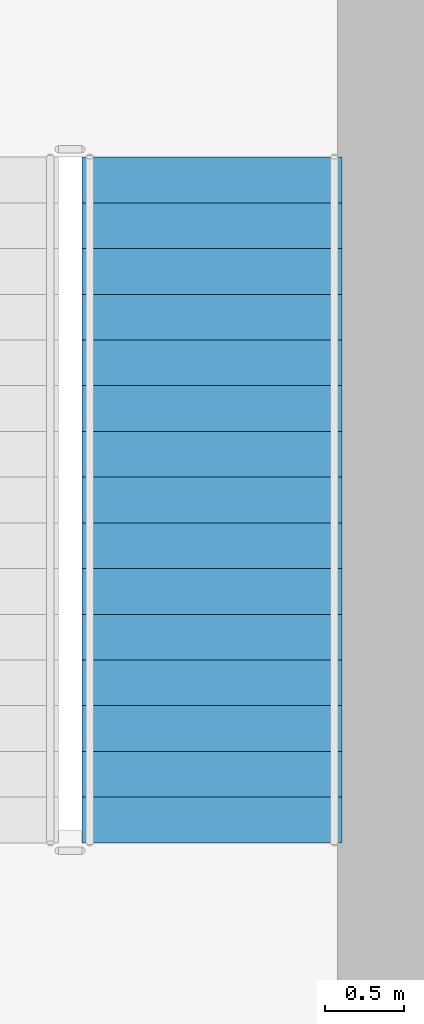
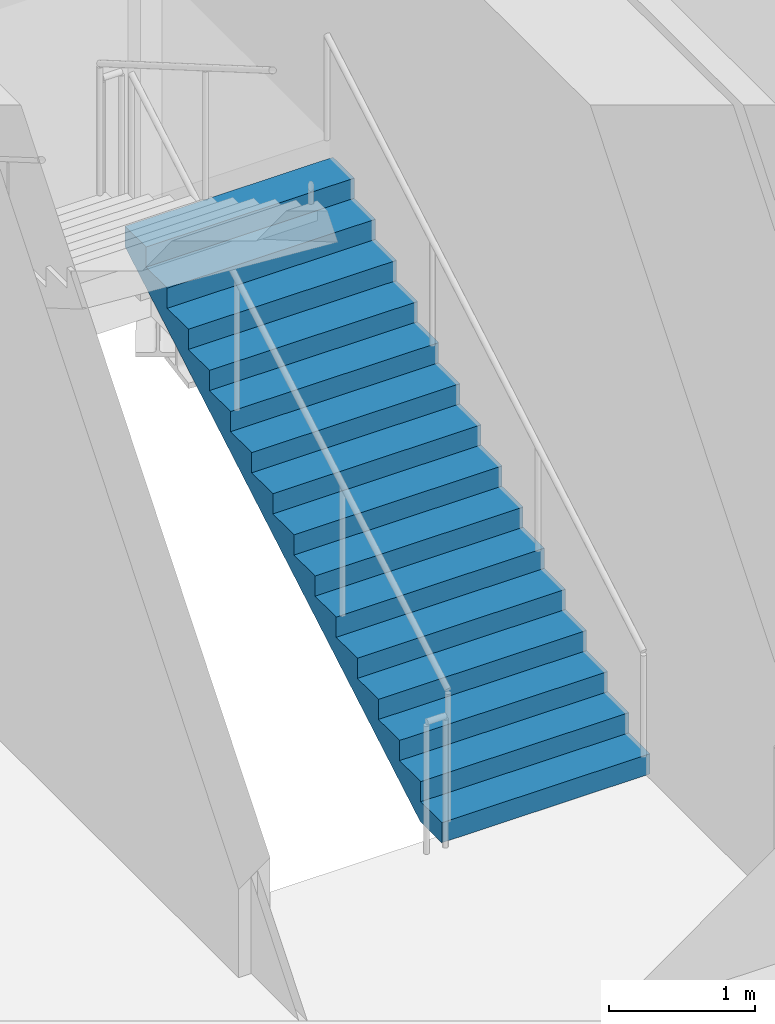
# One storey, part 26 of 31: 1 stair flight, 1 element without a shape of its own.
"""IFC4 building model written with IfcOpenShell, lengths in metres."""

from ifc_helpers import new_model, si_unit, direction, frame, origin, place, context, subcontext, project, spatial, polyline, outline, extrude, material, type_object, element, aggregate, save


model = new_model("IFC4")

# Units and contexts
model_context = context("Model", 3, precision=1e-05, world=origin(), true_north=direction((0.0, 1.0)))
body_context = subcontext(model_context, "Body", "Model", "MODEL_VIEW")
ifc_project = project(units=[si_unit("LENGTHUNIT", "METRE"), si_unit("AREAUNIT", "SQUARE_METRE"), si_unit("VOLUMEUNIT", "CUBIC_METRE"), si_unit("PLANEANGLEUNIT", "RADIAN"), si_unit("MASSUNIT", "GRAM", prefix="KILO")], contexts=[model_context])

# Site, building, storey
site_placement = place(None, origin())
site = spatial("IfcSite", under=ifc_project, at=site_placement, CompositionType="ELEMENT")
building_placement = place(site_placement, origin())
building = spatial("IfcBuilding", under=site, at=building_placement, Name="Varnelok Gate Tower", CompositionType="ELEMENT")
storey_placement = place(building_placement, frame((0.0, 0.0, 21.60009765625)))
storey = spatial("IfcBuildingStorey", under=building, at=storey_placement, Name="L04", CompositionType="ELEMENT", Elevation=21.60009765625)

# Stair, stair flight
ifc_material = material(Name="Concrete C50/60", Category="concrete")
stair_type = type_object("IfcStairType", Name="STR-CORE-1650", PredefinedType="HALF_TURN_STAIR", material=ifc_material)
stair_placement = place(storey_placement, origin())
stair = element("IfcStair", 1, at=stair_placement, inside=storey, type_object=stair_type, Name="L04 Exit Stair ST-2", PredefinedType="HALF_TURN_STAIR")
stair_flight_type = type_object("IfcStairFlightType", Name="SFL-CORE-1650", PredefinedType="STRAIGHT", material=ifc_material)
stair_flight_placement = place(storey_placement, frame((46.47509765625, 31.60009765625, 0.0), z_axis=(0.0, 0.0, 1.0), x_axis=(0.0, 1.0, 0.0)))
stair_flight = element("IfcStairFlight", 2, at=stair_flight_placement, type_object=stair_flight_type, Name="ST-2 flight 1", NumberOfRisers=16, NumberOfTreads=15, PredefinedType="STRAIGHT", RiserHeight=0.16875, TreadLength=0.29, context=body_context, shape_type="SweptSolid", body=[
    extrude(outline(polyline([(0.0, 0.0), (0.0, 0.168701171875), (0.2900390625, 0.168701171875), (0.2900390625, 0.33740234375), (0.580078125, 0.33740234375), (0.580078125, 0.50634765625), (0.8701171875, 0.50634765625), (0.8701171875, 0.675048828125), (1.159912109375, 0.675048828125), (1.159912109375, 0.84375), (1.449951171875, 0.84375), (1.449951171875, 1.012451171875), (1.739990234375, 1.012451171875), (1.739990234375, 1.18115234375), (2.030029296875, 1.18115234375), (2.030029296875, 1.35009765625), (2.320068359375, 1.35009765625), (2.320068359375, 1.518798828125), (2.610107421875, 1.518798828125), (2.610107421875, 1.6875), (2.89990234375, 1.6875), (2.89990234375, 1.856201171875), (3.18994140625, 1.856201171875), (3.18994140625, 2.02490234375), (3.47998046875, 2.02490234375), (3.47998046875, 2.19384765625), (3.77001953125, 2.19384765625), (3.77001953125, 2.362548828125), (4.06005859375, 2.362548828125), (4.06005859375, 2.53125), (4.35009765625, 2.53125), (4.35009765625, 2.699951171875), (4.35009765625, 2.35791015625), (0.298095703125, 0.0), (0.0, 0.0)])), frame((0.0, 0.824951171875, 0.0), z_axis=(0.0, -1.0, 0.0), x_axis=(1.0, 0.0, 0.0)), (0.0, 0.0, 1.0), 1.64990234375),
])
aggregate(stair, [stair_flight])

save(model, "model.ifc")
